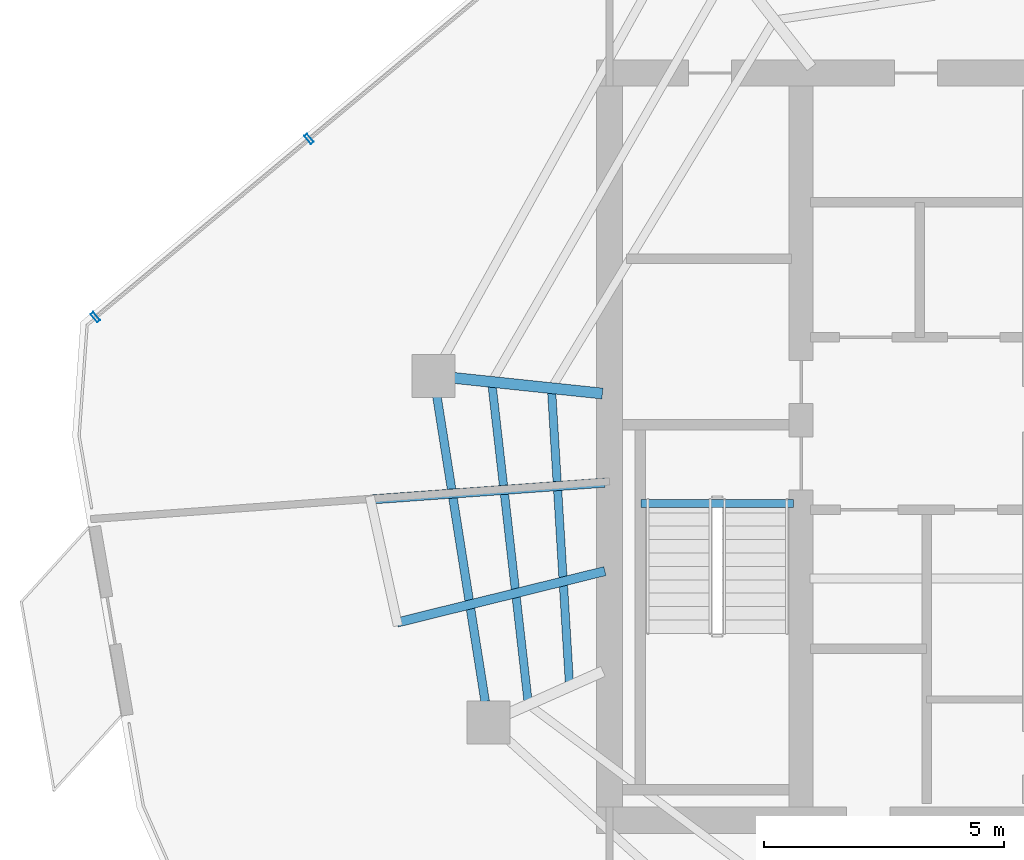
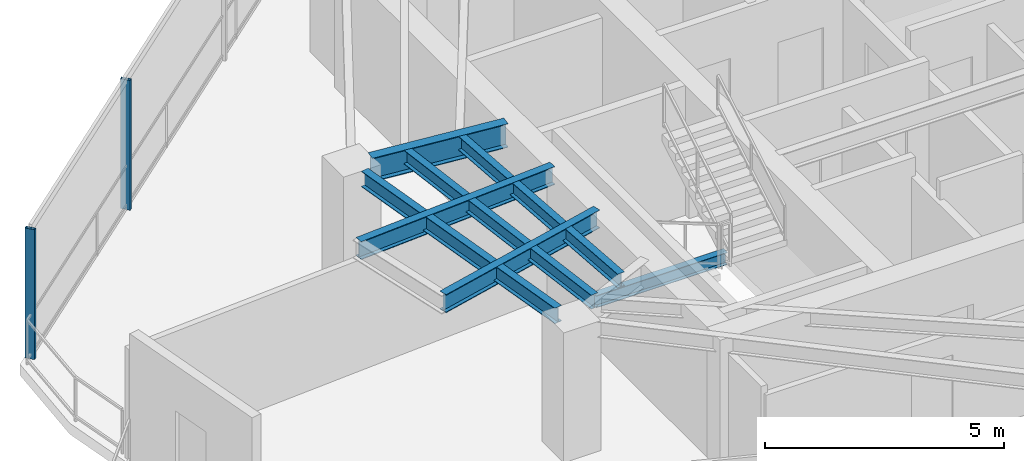
# One storey, part 6 of 18: 7 beams, 2 members, 1 element without a shape of its own.
"""IFC4 building model written with IfcOpenShell, lengths in metres."""

from ifc_helpers import new_model, si_unit, direction, frame, origin, origin_2d, place, context, subcontext, project, spatial, hollow_rectangle, i_section, extrude, material, layer, layer_set, material_profile, profile_set, type_object, element, aggregate, save


model = new_model("IFC4")

# Units and contexts
model_context = context("Model", 3, precision=1e-05, world=origin(), true_north=direction((0.0, 1.0)))
body_context = subcontext(model_context, "Body", "Model", "MODEL_VIEW")
ifc_project = project(units=[si_unit("LENGTHUNIT", "METRE"), si_unit("AREAUNIT", "SQUARE_METRE"), si_unit("VOLUMEUNIT", "CUBIC_METRE"), si_unit("PLANEANGLEUNIT", "RADIAN"), si_unit("MASSUNIT", "GRAM", prefix="KILO")], contexts=[model_context])

# Site, building, storey
site_placement = place(None, origin())
site = spatial("IfcSite", under=ifc_project, at=site_placement, CompositionType="ELEMENT")
building_placement = place(site_placement, origin())
building = spatial("IfcBuilding", under=site, at=building_placement, Name="Qarnah Convention Tower", CompositionType="ELEMENT")
storey_placement = place(building_placement, frame((0.0, 0.0, 216.60009765625)))
storey = spatial("IfcBuildingStorey", under=building, at=storey_placement, Name="L58", CompositionType="ELEMENT", Elevation=216.60009765625)

# Beams
ifc_material_1 = material(Name="Structural steel S355JR", Category="steel")
ifc_material_profile_1 = material_profile(ifc_material_1, i_section(OverallWidth=0.19189453125, OverallDepth=0.464111328125, WebThickness=0.010986328125, FlangeThickness=0.01806640625, at=origin_2d()), Name="W460X89")
ifc_profile_set_1 = profile_set([ifc_material_profile_1], Name="Structural steel S355JR")
beam_type_1 = type_object("IfcBeamType", Name="BM-CANT-W460A", PredefinedType="BEAM", material=ifc_profile_set_1)
beam_1_placement = place(storey_placement, frame((26.702880859375, 23.802001953125, 3.087890625), z_axis=(-0.970718465503, -0.240220025669, 0.0), x_axis=(0.240220025669, -0.970718465503, 0.0)))
element("IfcBeam", 1, at=beam_1_placement, inside=storey, type_object=beam_type_1, Name="L58 beam BM-L58-CNT-02-1", PredefinedType="BEAM", context=body_context, shape_type="SweptSolid", body=[
    extrude(i_section(OverallWidth=0.19189453125, OverallDepth=0.464111328125, WebThickness=0.010986328125, FlangeThickness=0.01806640625, at=origin_2d()), origin(), (0.0, 0.0, 1.0), 4.466796875),
])
beam_2_placement = place(storey_placement, frame((26.699951171875, 25.64794921875, 3.087890625), z_axis=(-0.997436151804, -0.071562022574, 0.0), x_axis=(0.071562022574, -0.997436151804, 0.0)))
element("IfcBeam", 2, at=beam_2_placement, inside=storey, type_object=beam_type_1, Name="L58 beam BM-L58-CNT-02-2", PredefinedType="BEAM", context=body_context, shape_type="SweptSolid", body=[
    extrude(i_section(OverallWidth=0.19189453125, OverallDepth=0.464111328125, WebThickness=0.010986328125, FlangeThickness=0.01806640625, at=origin_2d()), origin(), (0.0, 0.0, 1.0), 4.90234375),
])
ifc_material_profile_2 = material_profile(ifc_material_1, i_section(OverallWidth=0.166015625, OverallDepth=0.31201171875, WebThickness=0.007080078125, FlangeThickness=0.010986328125, at=origin_2d()), Name="W310X45")
ifc_profile_set_2 = profile_set([ifc_material_profile_2], Name="Structural steel S355JR")
beam_type_2 = type_object("IfcBeamType", Name="BM-JST-W310", PredefinedType="JOIST", material=ifc_profile_set_2)
beam_3_placement = place(storey_placement, frame((27.4599609375, 25.217041015625, -0.156005859375), z_axis=(1.0, 0.0, 0.0), x_axis=(0.0, 1.0, 0.0)))
element("IfcBeam", 3, at=beam_3_placement, inside=storey, type_object=beam_type_2, Name="L58 stair landing trimmer beam BM-L58-ST1-TRM", PredefinedType="BEAM", context=body_context, shape_type="SweptSolid", body=[
    extrude(i_section(OverallWidth=0.166015625, OverallDepth=0.31201171875, WebThickness=0.007080078125, FlangeThickness=0.010986328125, at=origin_2d()), origin(), (0.0, 0.0, 1.0), 3.179931640625),
])
ifc_material_profile_3 = material_profile(ifc_material_1, i_section(OverallWidth=0.172119140625, OverallDepth=0.35595703125, WebThickness=0.007080078125, FlangeThickness=0.011962890625, at=origin_2d()), Name="W360X51")
ifc_profile_set_3 = profile_set([ifc_material_profile_3], Name="Structural steel S355JR")
beam_type_3 = type_object("IfcBeamType", Name="BM-JST-W360", PredefinedType="JOIST", material=ifc_profile_set_3)
beam_4_placement = place(storey_placement, frame((24.35009765625, 27.6630859375, 3.141845703125), z_axis=(0.113147043355, -0.993578253878, 0.0), x_axis=(0.993578253878, 0.113147043355, 0.0)))
element("IfcBeam", 4, at=beam_4_placement, inside=storey, type_object=beam_type_3, Name="L58 joist BM-L58-SJST-05", PredefinedType="JOIST", context=body_context, shape_type="SweptSolid", body=[
    extrude(i_section(OverallWidth=0.172119140625, OverallDepth=0.35595703125, WebThickness=0.007080078125, FlangeThickness=0.011962890625, at=origin_2d()), origin(), (0.0, 0.0, 1.0), 6.6005859375),
])
beam_5_placement = place(storey_placement, frame((25.593017578125, 27.530029296875, 3.141845703125), z_axis=(0.060791013083, -0.998150516069, 0.0), x_axis=(0.998150516069, 0.060791013083, 0.0)))
element("IfcBeam", 5, at=beam_5_placement, inside=storey, type_object=beam_type_3, Name="L58 joist BM-L58-IJST-05", PredefinedType="JOIST", context=body_context, shape_type="SweptSolid", body=[
    extrude(i_section(OverallWidth=0.172119140625, OverallDepth=0.35595703125, WebThickness=0.007080078125, FlangeThickness=0.011962890625, at=origin_2d()), origin(), (0.0, 0.0, 1.0), 6.05224609375),
])
ifc_material_profile_4 = material_profile(ifc_material_1, i_section(OverallWidth=0.22802734375, OverallDepth=0.60791015625, WebThickness=0.010986328125, FlangeThickness=0.01708984375, at=origin_2d()), Name="W610X113")
ifc_profile_set_4 = profile_set([ifc_material_profile_4], Name="Structural steel S355JR")
beam_type_4 = type_object("IfcBeamType", Name="BM-RAD-W610B", PredefinedType="BEAM", material=ifc_profile_set_4)
beam_6_placement = place(storey_placement, frame((26.65087890625, 27.509033203125, 3.015869140625), z_axis=(-0.99453335923, 0.104419334317, 0.0), x_axis=(-0.104419334317, -0.99453335923, 0.0)))
element("IfcBeam", 6, at=beam_6_placement, inside=storey, type_object=beam_type_4, Name="L58 beam BM-L58-RAD-05", PredefinedType="BEAM", context=body_context, shape_type="SweptSolid", body=[
    extrude(i_section(OverallWidth=0.22802734375, OverallDepth=0.60791015625, WebThickness=0.010986328125, FlangeThickness=0.01708984375, at=origin_2d()), origin(), (0.0, 0.0, 1.0), 3.112060546875),
])
ifc_material_profile_5 = material_profile(ifc_material_1, i_section(OverallWidth=0.179931640625, OverallDepth=0.39990234375, WebThickness=0.009033203125, FlangeThickness=0.013916015625, at=origin_2d()), Name="IPE400")
ifc_profile_set_5 = profile_set([ifc_material_profile_5], Name="Structural steel S355JR")
beam_type_5 = type_object("IfcBeamType", Name="BM-SPN-IPE400", PredefinedType="SPANDREL", material=ifc_profile_set_5)
beam_7_placement = place(storey_placement, frame((23.197021484375, 27.444091796875, 3.119873046875), z_axis=(0.156301127146, -0.987709450017, 0.0), x_axis=(0.987709450017, 0.156301127146, 0.0)))
element("IfcBeam", 7, at=beam_7_placement, inside=storey, type_object=beam_type_5, Name="L58 spandrel BM-L58-SPN-05", PredefinedType="SPANDREL", context=body_context, shape_type="SweptSolid", body=[
    extrude(i_section(OverallWidth=0.179931640625, OverallDepth=0.39990234375, WebThickness=0.009033203125, FlangeThickness=0.013916015625, at=origin_2d()), origin(), (0.0, 0.0, 1.0), 6.443115234375),
])

# Curtain wall, members
ifc_material_2 = material(Name="Tempered Low-E dark glass", Category="glass")
ifc_layer = layer(ifc_material_2, 0.174072265625)
ifc_layer_set = layer_set([ifc_layer], Name="Tempered Low-E dark glass")
curtain_wall_type = type_object("IfcCurtainWallType", Name="CWS-04", PredefinedType="NOTDEFINED", material=ifc_layer_set)
curtain_wall_placement = place(storey_placement, origin())
curtain_wall = element("IfcCurtainWall", 8, at=curtain_wall_placement, inside=storey, type_object=curtain_wall_type, Name="L58 unitised curtain wall CW-L58-F2", PredefinedType="NOTDEFINED")
ifc_material_3 = material(Name="Black anodised aluminium", Category="aluminium")
ifc_material_profile_6 = material_profile(ifc_material_3, hollow_rectangle(XDim=0.074951171875, YDim=0.219970703125, WallThickness=0.0048828125, at=origin_2d()), Name="MUL-75X220")
ifc_profile_set_6 = profile_set([ifc_material_profile_6], Name="Black anodised aluminium")
member_type = type_object("IfcMemberType", Name="MUL-T4", PredefinedType="MULLION", material=ifc_profile_set_6)
member_1_placement = place(storey_placement, frame((16.06689453125, 29.10400390625, 0.0), z_axis=(0.0, 0.0, 1.0), x_axis=(0.767845724815, 0.64063479681, 0.0)))
member_1 = element("IfcMember", 9, at=member_1_placement, type_object=member_type, Name="CW-L58-F2 mullion 1", PredefinedType="MULLION", context=body_context, shape_type="SweptSolid", body=[
    extrude(hollow_rectangle(XDim=0.074951171875, YDim=0.219970703125, WallThickness=0.0048828125, at=origin_2d()), origin(), (0.0, 0.0, 1.0), 3.31982421875),
])
member_2_placement = place(storey_placement, frame((20.5263671875, 32.82470703125, 0.0), z_axis=(0.0, 0.0, 1.0), x_axis=(0.767845724815, 0.64063479681, 0.0)))
member_2 = element("IfcMember", 10, at=member_2_placement, type_object=member_type, Name="CW-L58-F2 mullion 2", PredefinedType="MULLION", context=body_context, shape_type="SweptSolid", body=[
    extrude(hollow_rectangle(XDim=0.074951171875, YDim=0.219970703125, WallThickness=0.0048828125, at=origin_2d()), origin(), (0.0, 0.0, 1.0), 3.31982421875),
])
aggregate(curtain_wall, [member_1, member_2])

save(model, "model.ifc")
